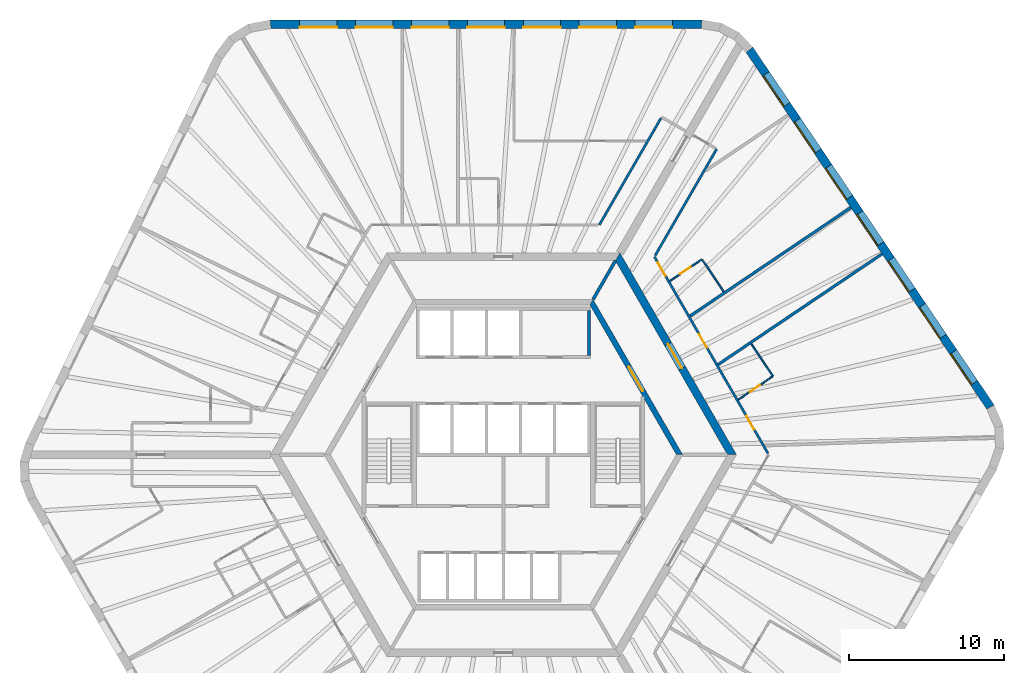
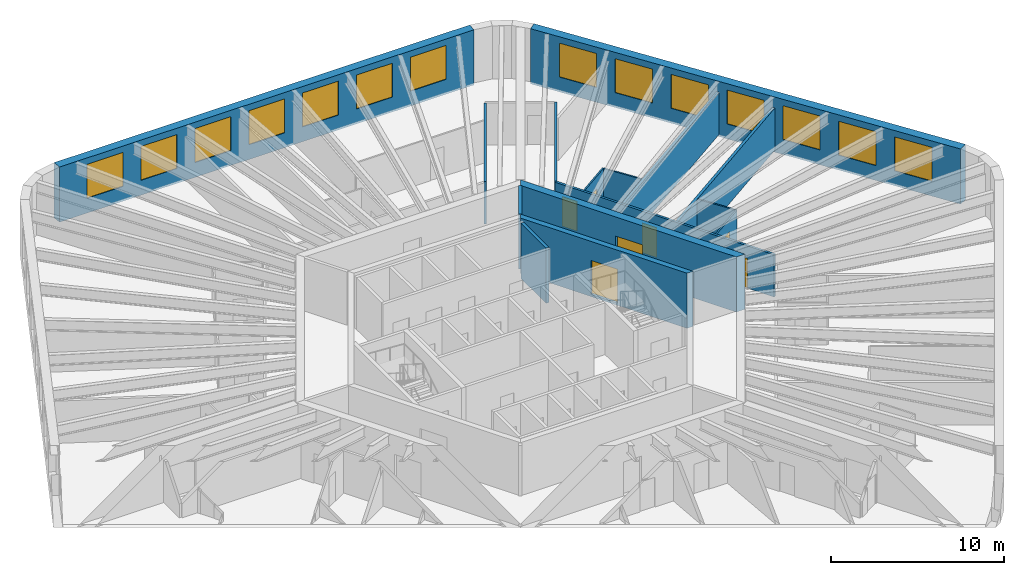
# One storey, part 8 of 10: 15 walls, 14 windows, 7 doors, 21 openings.
"""IFC4 building model written with IfcOpenShell, lengths in metres."""

from ifc_helpers import new_model, si_unit, direction, frame, frame_2d, origin, place, context, subcontext, project, spatial, polyline, rectangle, outline, extrude, material, layer, layer_set, type_object, element, fill, save


model = new_model("IFC4")

# Units and contexts
model_context = context("Model", 3, precision=1e-05, world=origin(), true_north=direction((0.0, 1.0)))
body_context = subcontext(model_context, "Body", "Model", "MODEL_VIEW")
ifc_project = project(units=[si_unit("LENGTHUNIT", "METRE"), si_unit("AREAUNIT", "SQUARE_METRE"), si_unit("VOLUMEUNIT", "CUBIC_METRE"), si_unit("PLANEANGLEUNIT", "RADIAN"), si_unit("MASSUNIT", "GRAM", prefix="KILO")], contexts=[model_context])

# Site, building, storey
site_placement = place(None, origin())
site = spatial("IfcSite", under=ifc_project, at=site_placement, CompositionType="ELEMENT")
building_placement = place(site_placement, origin())
building = spatial("IfcBuilding", under=site, at=building_placement, Name="Tarnside Tower", CompositionType="ELEMENT")
storey_placement = place(building_placement, frame((0.0, 0.0, 234.60009765625)))
storey = spatial("IfcBuildingStorey", under=building, at=storey_placement, Name="L56", CompositionType="ELEMENT", Elevation=234.60009765625)

# Wall
ifc_material_1 = material(Name="Gypsum board partition on steel studs", Category="steel")
ifc_layer_1 = layer(ifc_material_1, 0.10009765625)
ifc_layer_set_1 = layer_set([ifc_layer_1], Name="Bathroom wall 100")
wall_type_1 = type_object("IfcWallType", Name="Bathroom wall 100", PredefinedType="PARTITIONING", material=ifc_layer_set_1)
wall_1_placement = place(storey_placement, frame((15.9609375, 7.1376953125, 0.0), z_axis=(0.0, 0.0, 1.0), x_axis=(0.559158770347, -0.829060594615, 0.0)))
element("IfcWall", 1, at=wall_1_placement, inside=storey, type_object=wall_type_1, Name="Bathroom wall 18099", PredefinedType="PARTITIONING", context=body_context, shape_type="SweptSolid", body=[
    extrude(rectangle(XDim=2.51025390625, YDim=0.10009765625, at=frame_2d((1.255126953125, 0.0))), origin(), (0.0, 0.0, 1.0), 2.98779296875),
])

# Wall, opening, door
wall_2_placement = place(storey_placement, frame((17.3232421875, 5.02880859375, 0.0), z_axis=(0.0, 0.0, 1.0), x_axis=(-0.829031379595, -0.559202084802, 0.0)))
wall_2 = element("IfcWall", 2, at=wall_2_placement, inside=storey, type_object=wall_type_1, Name="Bathroom wall 18100", PredefinedType="PARTITIONING", context=body_context, shape_type="SweptSolid", body=[
    extrude(rectangle(XDim=2.6484375, YDim=0.10009765625, at=frame_2d((1.32421875, 0.0))), origin(), (0.0, 0.0, 1.0), 2.98779296875),
])
opening_1_placement = place(wall_2_placement, frame((0.949951171875, 0.0, 0.0)))
opening_1 = element("IfcOpeningElement", 3, at=opening_1_placement, cuts=wall_2, Name="Opening D-B1", PredefinedType="OPENING", context=body_context, shape_type="SweptSolid", body=[
    extrude(rectangle(XDim=0.800048828125, YDim=2.10009765625, at=frame_2d((0.39990234375, 1.050048828125))), frame((0.0, 0.06005859375, 0.0), z_axis=(0.0, -1.0, 0.0), x_axis=(1.0, 0.0, 0.0)), (0.0, 0.0, 1.0), 0.1201171875),
])
ifc_material_2 = material(Name="Timber door leaf", Category="wood")
door_type_1 = type_object("IfcDoorType", Name="Bathroom door 800", OperationType="NOTDEFINED", PredefinedType="DOOR", material=ifc_material_2)
door_1_placement = place(opening_1_placement, origin())
door_1 = element("IfcDoor", 4, at=door_1_placement, inside=storey, type_object=door_type_1, Name="Bathroom door 18031", OperationType="SINGLE_SWING_LEFT", OverallHeight=2.10009765625, OverallWidth=0.800048828125, PredefinedType="DOOR", context=body_context, shape_type="SweptSolid", body=[
    extrude(rectangle(XDim=0.800048828125, YDim=2.10009765625, at=frame_2d((0.39990234375, 1.050048828125))), frame((0.0, 0.02490234375, 0.0), z_axis=(0.0, -1.0, 0.0), x_axis=(1.0, 0.0, 0.0)), (0.0, 0.0, 1.0), 0.050048828125),
])
fill(opening_1, door_1)

wall_3_placement = place(storey_placement, frame((10.717041015625, 11.1875, 0.0), z_axis=(0.0, 0.0, 1.0), x_axis=(0.829016292589, 0.559224451024, 0.0)))
wall_3 = element("IfcWall", 5, at=wall_3_placement, inside=storey, type_object=wall_type_1, Name="Bathroom wall 18105", PredefinedType="PARTITIONING", context=body_context, shape_type="SweptSolid", body=[
    extrude(rectangle(XDim=2.49853515625, YDim=0.10009765625, at=frame_2d((1.249267578125, 0.0))), origin(), (0.0, 0.0, 1.0), 2.98779296875),
])
opening_2_placement = place(wall_3_placement, frame((0.798583984375, 0.0, 0.0)))
opening_2 = element("IfcOpeningElement", 6, at=opening_2_placement, cuts=wall_3, Name="Opening D-B1", PredefinedType="OPENING", context=body_context, shape_type="SweptSolid", body=[
    extrude(rectangle(XDim=0.800048828125, YDim=2.10009765625, at=frame_2d((0.39990234375, 1.050048828125))), frame((0.0, 0.06005859375, 0.0), z_axis=(0.0, -1.0, 0.0), x_axis=(1.0, 0.0, 0.0)), (0.0, 0.0, 1.0), 0.1201171875),
])
door_2_placement = place(opening_2_placement, origin())
door_2 = element("IfcDoor", 7, at=door_2_placement, inside=storey, type_object=door_type_1, Name="Bathroom door 18034", OperationType="SINGLE_SWING_RIGHT", OverallHeight=2.10009765625, OverallWidth=0.800048828125, PredefinedType="DOOR", context=body_context, shape_type="SweptSolid", body=[
    extrude(rectangle(XDim=0.800048828125, YDim=2.10009765625, at=frame_2d((0.39990234375, 1.050048828125))), frame((0.0, 0.02490234375, 0.0), z_axis=(0.0, -1.0, 0.0), x_axis=(1.0, 0.0, 0.0)), (0.0, 0.0, 1.0), 0.050048828125),
])
fill(opening_2, door_2)

# Wall
wall_4_placement = place(storey_placement, frame((12.81640625, 12.543212890625, 0.0), z_axis=(0.0, 0.0, 1.0), x_axis=(0.559181331227, -0.829045378015, 0.0)))
element("IfcWall", 8, at=wall_4_placement, inside=storey, type_object=wall_type_1, Name="Bathroom wall 18106", PredefinedType="PARTITIONING", context=body_context, shape_type="SweptSolid", body=[
    extrude(rectangle(XDim=2.459716796875, YDim=0.10009765625, at=frame_2d((1.22998046875, 0.0))), origin(), (0.0, 0.0, 1.0), 2.98779296875),
])

# Wall, opening, door
ifc_material_3 = material(Name="Concrete C50/60", Category="concrete")
ifc_layer_2 = layer(ifc_material_3, 0.35009765625)
ifc_layer_set_2 = layer_set([ifc_layer_2], Name="Core block wall 350 C50/60")
wall_type_2 = type_object("IfcWallType", Name="Core block wall 350 C50/60", PredefinedType="SHEAR", material=ifc_layer_set_2)
wall_5_placement = place(storey_placement, frame((11.344970703125, 0.0, -0.150146484375), z_axis=(0.0, 0.0, 1.0), x_axis=(-0.499995046907, 0.866028263435, 0.0)))
wall_5 = element("IfcWall", 9, at=wall_5_placement, inside=storey, type_object=wall_type_2, Name="L56 core block wall face 6", PredefinedType="SHEAR", context=body_context, shape_type="SweptSolid", body=[
    extrude(outline(polyline([(-0.10107421875, -0.175048828125), (11.44580078125, -0.175048828125), (11.24365234375, 0.175048828125), (0.10107421875, 0.175048828125), (-0.10107421875, -0.175048828125)])), origin(), (0.0, 0.0, 1.0), 3.900146484375),
])
opening_3_placement = place(wall_5_placement, frame((4.74365234375, 0.0, 0.14990234375)))
opening_3 = element("IfcOpeningElement", 10, at=opening_3_placement, cuts=wall_5, Name="Opening CD-LOB", PredefinedType="OPENING", context=body_context, shape_type="SweptSolid", body=[
    extrude(rectangle(XDim=1.800048828125, YDim=2.39990234375, at=frame_2d((0.89990234375, 1.199951171875))), frame((0.0, 0.18505859375, 0.0), z_axis=(0.0, -1.0, 0.0), x_axis=(1.0, 0.0, 0.0)), (0.0, 0.0, 1.0), 0.3701171875),
])
ifc_material_4 = material(Name="Steel fire door", Category="steel")
door_type_2 = type_object("IfcDoorType", Name="Lobby double door FD30S 1800x2400", OperationType="NOTDEFINED", PredefinedType="DOOR", material=ifc_material_4)
door_3_placement = place(opening_3_placement, origin())
door_3 = element("IfcDoor", 11, at=door_3_placement, inside=storey, type_object=door_type_2, Name="L56 lobby block door P2", OperationType="DOUBLE_DOOR_SINGLE_SWING", OverallHeight=2.39990234375, OverallWidth=1.800048828125, PredefinedType="DOOR", context=body_context, shape_type="SweptSolid", body=[
    extrude(rectangle(XDim=1.800048828125, YDim=2.39990234375, at=frame_2d((0.89990234375, 1.199951171875))), frame((0.0, 0.02490234375, 0.0), z_axis=(0.0, -1.0, 0.0), x_axis=(1.0, 0.0, 0.0)), (0.0, 0.0, 1.0), 0.050048828125),
])
fill(opening_3, door_3)

ifc_material_5 = material(Name="Concrete C70/85", Category="concrete")
ifc_layer_3 = layer(ifc_material_5, 0.5)
ifc_layer_set_3 = layer_set([ifc_layer_3], Name="Core wall Z2 500 C70/85")
wall_type_3 = type_object("IfcWallType", Name="Core wall Z2 500 C70/85", PredefinedType="SHEAR", material=ifc_layer_set_3)
wall_6_placement = place(storey_placement, frame((14.722412109375, 0.0, -0.150146484375), z_axis=(0.0, 0.0, 1.0), x_axis=(-0.50000571537, 0.866022103989, 0.0)))
wall_6 = element("IfcWall", 12, at=wall_6_placement, inside=storey, type_object=wall_type_3, Name="L56 core wall face 6", PredefinedType="SHEAR", context=body_context, shape_type="SweptSolid", body=[
    extrude(outline(polyline([(-0.144287109375, -0.25), (14.86669921875, -0.25), (14.578125, 0.25), (0.144287109375, 0.25), (-0.144287109375, -0.25)])), origin(), (0.0, 0.0, 1.0), 3.900146484375),
])
opening_4_placement = place(wall_6_placement, frame((6.432373046875, 0.0, 0.14990234375)))
opening_4 = element("IfcOpeningElement", 13, at=opening_4_placement, cuts=wall_6, Name="Opening CD-LOB", PredefinedType="OPENING", context=body_context, shape_type="SweptSolid", body=[
    extrude(rectangle(XDim=1.800048828125, YDim=2.39990234375, at=frame_2d((0.89990234375, 1.199951171875))), frame((0.0, 0.260009765625, 0.0), z_axis=(0.0, -1.0, 0.0), x_axis=(1.0, 0.0, 0.0)), (0.0, 0.0, 1.0), 0.52001953125),
])
door_4_placement = place(opening_4_placement, origin())
door_4 = element("IfcDoor", 14, at=door_4_placement, inside=storey, type_object=door_type_2, Name="L56 core door P2", OperationType="DOUBLE_DOOR_SINGLE_SWING", OverallHeight=2.39990234375, OverallWidth=1.800048828125, PredefinedType="DOOR", context=body_context, shape_type="SweptSolid", body=[
    extrude(rectangle(XDim=1.800048828125, YDim=2.39990234375, at=frame_2d((0.89990234375, 1.199951171875))), frame((0.0, 0.02490234375, 0.0), z_axis=(0.0, -1.0, 0.0), x_axis=(1.0, 0.0, 0.0)), (0.0, 0.0, 1.0), 0.050048828125),
])
fill(opening_4, door_4)

# Wall
ifc_layer_4 = layer(ifc_material_1, 0.14990234375)
ifc_layer_set_4 = layer_set([ifc_layer_4], Name="Corridor wall 150 EI 60")
wall_type_4 = type_object("IfcWallType", Name="Corridor wall 150 EI 60", PredefinedType="PARTITIONING", material=ifc_layer_set_4)
wall_7_placement = place(storey_placement, frame((10.148681640625, 21.677978515625, 0.0), z_axis=(0.0, 0.0, 1.0), x_axis=(-0.499997422768, -0.866026891745, 0.0)))
element("IfcWall", 15, at=wall_7_placement, inside=storey, type_object=wall_type_4, Name="Corridor wall 18001", PredefinedType="PARTITIONING", context=body_context, shape_type="SweptSolid", body=[
    extrude(rectangle(XDim=7.94189453125, YDim=0.14990234375, at=frame_2d((3.970947265625, 0.0))), origin(), (0.0, 0.0, 1.0), 2.98779296875),
])

# Wall, openings, doors
wall_8_placement = place(storey_placement, frame((17.04638671875, 0.074951171875, 0.0), z_axis=(0.0, 0.0, 1.0), x_axis=(-0.499996322767, 0.866027526826, 0.0)))
wall_8 = element("IfcWall", 16, at=wall_8_placement, inside=storey, type_object=wall_type_4, Name="Corridor wall 18042", PredefinedType="PARTITIONING", context=body_context, shape_type="SweptSolid", body=[
    extrude(rectangle(XDim=14.6357421875, YDim=0.14990234375, at=frame_2d((7.31787109375, 0.0))), origin(), (0.0, 0.0, 1.0), 2.98779296875),
])
opening_5_placement = place(wall_8_placement, frame((1.781494140625, 0.0, 0.0)))
opening_5 = element("IfcOpeningElement", 17, at=opening_5_placement, cuts=wall_8, Name="Opening D-E1", PredefinedType="OPENING", context=body_context, shape_type="SweptSolid", body=[
    extrude(rectangle(XDim=1.0, YDim=2.10009765625, at=frame_2d((0.5, 1.050048828125))), frame((0.0, 0.0849609375, 0.0), z_axis=(0.0, -1.0, 0.0), x_axis=(1.0, 0.0, 0.0)), (0.0, 0.0, 1.0), 0.169921875),
])
opening_6_placement = place(wall_8_placement, frame((7.872314453125, 0.0, 0.0)))
opening_6 = element("IfcOpeningElement", 18, at=opening_6_placement, cuts=wall_8, Name="Opening D-E1", PredefinedType="OPENING", context=body_context, shape_type="SweptSolid", body=[
    extrude(rectangle(XDim=1.0, YDim=2.10009765625, at=frame_2d((0.5, 1.050048828125))), frame((0.0, 0.0849609375, 0.0), z_axis=(0.0, -1.0, 0.0), x_axis=(1.0, 0.0, 0.0)), (0.0, 0.0, 1.0), 0.169921875),
])
opening_7_placement = place(wall_8_placement, frame((13.203125, 0.0, 0.0)))
opening_7 = element("IfcOpeningElement", 19, at=opening_7_placement, cuts=wall_8, Name="Opening D-E1", PredefinedType="OPENING", context=body_context, shape_type="SweptSolid", body=[
    extrude(rectangle(XDim=1.0, YDim=2.10009765625, at=frame_2d((0.5, 1.050048828125))), frame((0.0, 0.0849609375, 0.0), z_axis=(0.0, -1.0, 0.0), x_axis=(1.0, 0.0, 0.0)), (0.0, 0.0, 1.0), 0.169921875),
])
door_type_3 = type_object("IfcDoorType", Name="Unit entrance door 1000 FD30S", OperationType="NOTDEFINED", PredefinedType="DOOR", material=ifc_material_2)
door_5_placement = place(opening_5_placement, origin())
door_5 = element("IfcDoor", 20, at=door_5_placement, inside=storey, type_object=door_type_3, Name="Unit door 18030", OperationType="SINGLE_SWING_LEFT", OverallHeight=2.10009765625, OverallWidth=1.0, PredefinedType="DOOR", context=body_context, shape_type="SweptSolid", body=[
    extrude(rectangle(XDim=1.0, YDim=2.10009765625, at=frame_2d((0.5, 1.050048828125))), frame((0.0, 0.02490234375, 0.0), z_axis=(0.0, -1.0, 0.0), x_axis=(1.0, 0.0, 0.0)), (0.0, 0.0, 1.0), 0.050048828125),
])
fill(opening_5, door_5)
door_6_placement = place(opening_6_placement, origin())
door_6 = element("IfcDoor", 21, at=door_6_placement, inside=storey, type_object=door_type_3, Name="Unit door 18032", OperationType="SINGLE_SWING_RIGHT", OverallHeight=2.10009765625, OverallWidth=1.0, PredefinedType="DOOR", context=body_context, shape_type="SweptSolid", body=[
    extrude(rectangle(XDim=1.0, YDim=2.10009765625, at=frame_2d((0.5, 1.050048828125))), frame((0.0, 0.02490234375, 0.0), z_axis=(0.0, -1.0, 0.0), x_axis=(1.0, 0.0, 0.0)), (0.0, 0.0, 1.0), 0.050048828125),
])
fill(opening_6, door_6)
door_7_placement = place(opening_7_placement, origin())
door_7 = element("IfcDoor", 22, at=door_7_placement, inside=storey, type_object=door_type_3, Name="Unit door 18033", OperationType="SINGLE_SWING_LEFT", OverallHeight=2.10009765625, OverallWidth=1.0, PredefinedType="DOOR", context=body_context, shape_type="SweptSolid", body=[
    extrude(rectangle(XDim=1.0, YDim=2.10009765625, at=frame_2d((0.5, 1.050048828125))), frame((0.0, 0.02490234375, 0.0), z_axis=(0.0, -1.0, 0.0), x_axis=(1.0, 0.0, 0.0)), (0.0, 0.0, 1.0), 0.050048828125),
])
fill(opening_7, door_7)

# Walls
wall_9_placement = place(storey_placement, frame((9.771728515625, 12.824951171875, 0.0), z_axis=(0.0, 0.0, 1.0), x_axis=(0.499989830942, 0.866031274813, 0.0)))
element("IfcWall", 23, at=wall_9_placement, inside=storey, type_object=wall_type_4, Name="Corridor wall 18047", PredefinedType="PARTITIONING", context=body_context, shape_type="SweptSolid", body=[
    extrude(rectangle(XDim=7.930419921875, YDim=0.14990234375, at=frame_2d((3.96533203125, 0.0))), origin(), (0.0, 0.0, 1.0), 2.98779296875),
])
ifc_layer_5 = layer(ifc_material_1, 0.179931640625)
ifc_layer_set_5 = layer_set([ifc_layer_5], Name="Demising wall 180 EI 60")
wall_type_5 = type_object("IfcWallType", Name="Demising wall 180 EI 60", PredefinedType="PARTITIONING", material=ifc_layer_set_5)
wall_10_placement = place(storey_placement, frame((24.388671875, 12.9306640625, 0.0), z_axis=(0.0, 0.0, 1.0), x_axis=(-0.829037426209, -0.559193120438, 0.0)))
element("IfcWall", 24, at=wall_10_placement, inside=storey, type_object=wall_type_5, Name="Demising wall 18101", PredefinedType="PARTITIONING", context=body_context, shape_type="SweptSolid", body=[
    extrude(rectangle(XDim=12.742431640625, YDim=0.179931640625, at=frame_2d((6.37109375, 0.0))), origin(), (0.0, 0.0, 1.0), 2.98779296875),
])
wall_11_placement = place(storey_placement, frame((22.375732421875, 15.915283203125, 0.0), z_axis=(0.0, 0.0, 1.0), x_axis=(-0.829037148953, -0.559193531487, 0.0)))
element("IfcWall", 25, at=wall_11_placement, inside=storey, type_object=wall_type_5, Name="Demising wall 18103", PredefinedType="PARTITIONING", context=body_context, shape_type="SweptSolid", body=[
    extrude(rectangle(XDim=12.490966796875, YDim=0.179931640625, at=frame_2d((6.24560546875, 0.0))), origin(), (0.0, 0.0, 1.0), 2.98779296875),
])
ifc_material_6 = material(Name="Concrete C40/50", Category="concrete")
ifc_layer_6 = layer(ifc_material_6, 0.199951171875)
ifc_layer_set_6 = layer_set([ifc_layer_6], Name="Lift shaft wall 200 C40/50")
wall_type_6 = type_object("IfcWallType", Name="Lift shaft wall 200 C40/50", PredefinedType="SHEAR", material=ifc_layer_set_6)
wall_12_placement = place(storey_placement, frame((5.5, 6.39990234375, -0.25), z_axis=(0.0, 0.0, 1.0), x_axis=(0.0, 1.0, 0.0)))
element("IfcWall", 26, at=wall_12_placement, inside=storey, type_object=wall_type_6, Name="L56 lift shaft partition R16", PredefinedType="SHEAR", context=body_context, shape_type="SweptSolid", body=[
    extrude(rectangle(XDim=2.900146484375, YDim=0.199951171875, at=frame_2d((1.4501953125, 0.0))), origin(), (0.0, 0.0, 1.0), 3.89990234375),
])
wall_13_placement = place(storey_placement, frame((5.7734375, 10.0, -0.150146484375), z_axis=(0.0, 0.0, 1.0), x_axis=(0.499995765644, 0.866027848477, 0.0)))
element("IfcWall", 27, at=wall_13_placement, inside=storey, type_object=wall_type_6, Name="L56 core partition AR60", PredefinedType="SHEAR", context=body_context, shape_type="SweptSolid", body=[
    extrude(rectangle(XDim=2.88671875, YDim=0.199951171875, at=frame_2d((1.443359375, 0.0))), origin(), (0.0, 0.0, 1.0), 3.900146484375),
])

# Wall, openings, windows
ifc_material_7 = material(Name="Facing brick", Category="masonry")
ifc_layer_7 = layer(ifc_material_7, 0.10205078125)
ifc_material_8 = material(Name="Concrete C60/75 precast", Category="concrete")
ifc_layer_8 = layer(ifc_material_8, 0.347900390625)
ifc_material_9 = material(Name="Mineral wool insulation")
ifc_layer_9 = layer(ifc_material_9, 0.10009765625)
ifc_layer_set_7 = layer_set([ifc_layer_7, ifc_layer_8, ifc_layer_9], Name="Tube wall 550 brick faced")
wall_type_7 = type_object("IfcWallType", Name="Tube wall 550 brick faced", PredefinedType="SOLIDWALL", material=ifc_layer_set_7)
wall_14_placement = place(storey_placement, frame((12.760986328125, 27.72509765625, -0.150146484375), z_axis=(0.0, 0.0, 1.0), x_axis=(-1.0, 0.0, 0.0)))
wall_14 = element("IfcWall", 28, at=wall_14_placement, inside=storey, type_object=wall_type_7, Name="Tube wall L56 F1 flush 00", PredefinedType="SOLIDWALL", context=body_context, shape_type="SweptSolid", body=[
    extrude(outline(polyline([(-0.0224609375, -0.27490234375), (27.783447265625, -0.27490234375), (27.732177734375, 0.27490234375), (0.0224609375, 0.27490234375), (-0.0224609375, -0.27490234375)])), origin(), (0.0, 0.0, 1.0), 3.900146484375),
])
opening_8_placement = place(wall_14_placement, frame((1.87890625, 0.0, 1.050048828125)))
opening_8 = element("IfcOpeningElement", 29, at=opening_8_placement, cuts=wall_14, Name="Opening WH", PredefinedType="OPENING", context=body_context, shape_type="SweptSolid", body=[
    extrude(rectangle(XDim=2.39990234375, YDim=2.39990234375, at=frame_2d((1.199951171875, 1.199951171875))), frame((0.0, 0.28515625, 0.0), z_axis=(0.0, -1.0, 0.0), x_axis=(1.0, 0.0, 0.0)), (0.0, 0.0, 1.0), 0.570068359375),
])
opening_9_placement = place(wall_14_placement, frame((5.47900390625, 0.0, 1.050048828125)))
opening_9 = element("IfcOpeningElement", 30, at=opening_9_placement, cuts=wall_14, Name="Opening WH", PredefinedType="OPENING", context=body_context, shape_type="SweptSolid", body=[
    extrude(rectangle(XDim=2.39990234375, YDim=2.39990234375, at=frame_2d((1.199951171875, 1.199951171875))), frame((0.0, 0.28515625, 0.0), z_axis=(0.0, -1.0, 0.0), x_axis=(1.0, 0.0, 0.0)), (0.0, 0.0, 1.0), 0.570068359375),
])
opening_10_placement = place(wall_14_placement, frame((9.078857421875, 0.0, 1.050048828125)))
opening_10 = element("IfcOpeningElement", 31, at=opening_10_placement, cuts=wall_14, Name="Opening WH", PredefinedType="OPENING", context=body_context, shape_type="SweptSolid", body=[
    extrude(rectangle(XDim=2.39990234375, YDim=2.39990234375, at=frame_2d((1.199951171875, 1.199951171875))), frame((0.0, 0.28515625, 0.0), z_axis=(0.0, -1.0, 0.0), x_axis=(1.0, 0.0, 0.0)), (0.0, 0.0, 1.0), 0.570068359375),
])
opening_11_placement = place(wall_14_placement, frame((12.678955078125, 0.0, 1.050048828125)))
opening_11 = element("IfcOpeningElement", 32, at=opening_11_placement, cuts=wall_14, Name="Opening WH", PredefinedType="OPENING", context=body_context, shape_type="SweptSolid", body=[
    extrude(rectangle(XDim=2.39990234375, YDim=2.39990234375, at=frame_2d((1.199951171875, 1.199951171875))), frame((0.0, 0.28515625, 0.0), z_axis=(0.0, -1.0, 0.0), x_axis=(1.0, 0.0, 0.0)), (0.0, 0.0, 1.0), 0.570068359375),
])
opening_12_placement = place(wall_14_placement, frame((16.27880859375, 0.0, 1.050048828125)))
opening_12 = element("IfcOpeningElement", 33, at=opening_12_placement, cuts=wall_14, Name="Opening WH", PredefinedType="OPENING", context=body_context, shape_type="SweptSolid", body=[
    extrude(rectangle(XDim=2.39990234375, YDim=2.39990234375, at=frame_2d((1.199951171875, 1.199951171875))), frame((0.0, 0.28515625, 0.0), z_axis=(0.0, -1.0, 0.0), x_axis=(1.0, 0.0, 0.0)), (0.0, 0.0, 1.0), 0.570068359375),
])
opening_13_placement = place(wall_14_placement, frame((19.87890625, 0.0, 1.050048828125)))
opening_13 = element("IfcOpeningElement", 34, at=opening_13_placement, cuts=wall_14, Name="Opening WH", PredefinedType="OPENING", context=body_context, shape_type="SweptSolid", body=[
    extrude(rectangle(XDim=2.39990234375, YDim=2.39990234375, at=frame_2d((1.199951171875, 1.199951171875))), frame((0.0, 0.28515625, 0.0), z_axis=(0.0, -1.0, 0.0), x_axis=(1.0, 0.0, 0.0)), (0.0, 0.0, 1.0), 0.570068359375),
])
opening_14_placement = place(wall_14_placement, frame((23.47900390625, 0.0, 1.050048828125)))
opening_14 = element("IfcOpeningElement", 35, at=opening_14_placement, cuts=wall_14, Name="Opening WH", PredefinedType="OPENING", context=body_context, shape_type="SweptSolid", body=[
    extrude(rectangle(XDim=2.39990234375, YDim=2.39990234375, at=frame_2d((1.199951171875, 1.199951171875))), frame((0.0, 0.28515625, 0.0), z_axis=(0.0, -1.0, 0.0), x_axis=(1.0, 0.0, 0.0)), (0.0, 0.0, 1.0), 0.570068359375),
])
ifc_material_10 = material(Name="Aluminium-framed double glazing", Category="aluminium")
window_type = type_object("IfcWindowType", Name="Hotel window 2400 x 2400", PartitioningType="DOUBLE_PANEL_VERTICAL", PredefinedType="WINDOW", material=ifc_material_10)
window_1_placement = place(opening_8_placement, frame((0.0, 0.205078125, 0.0)))
window_1 = element("IfcWindow", 36, at=window_1_placement, inside=storey, type_object=window_type, Name="E.WN.L56.F1.00", OverallHeight=2.39990234375, OverallWidth=2.39990234375, PartitioningType="DOUBLE_PANEL_VERTICAL", PredefinedType="WINDOW", context=body_context, shape_type="SweptSolid", body=[
    extrude(rectangle(XDim=2.39990234375, YDim=2.39990234375, at=frame_2d((1.199951171875, 1.199951171875))), frame((0.0, 0.030029296875, 0.0), z_axis=(0.0, -1.0, 0.0), x_axis=(1.0, 0.0, 0.0)), (0.0, 0.0, 1.0), 0.06005859375),
])
fill(opening_8, window_1)
window_2_placement = place(opening_9_placement, frame((0.0, 0.205078125, 0.0)))
window_2 = element("IfcWindow", 37, at=window_2_placement, inside=storey, type_object=window_type, Name="E.WN.L56.F1.01", OverallHeight=2.39990234375, OverallWidth=2.39990234375, PartitioningType="DOUBLE_PANEL_VERTICAL", PredefinedType="WINDOW", context=body_context, shape_type="SweptSolid", body=[
    extrude(rectangle(XDim=2.39990234375, YDim=2.39990234375, at=frame_2d((1.199951171875, 1.199951171875))), frame((0.0, 0.030029296875, 0.0), z_axis=(0.0, -1.0, 0.0), x_axis=(1.0, 0.0, 0.0)), (0.0, 0.0, 1.0), 0.06005859375),
])
fill(opening_9, window_2)
window_3_placement = place(opening_10_placement, frame((0.0, 0.205078125, 0.0)))
window_3 = element("IfcWindow", 38, at=window_3_placement, inside=storey, type_object=window_type, Name="E.WN.L56.F1.02", OverallHeight=2.39990234375, OverallWidth=2.39990234375, PartitioningType="DOUBLE_PANEL_VERTICAL", PredefinedType="WINDOW", context=body_context, shape_type="SweptSolid", body=[
    extrude(rectangle(XDim=2.39990234375, YDim=2.39990234375, at=frame_2d((1.199951171875, 1.199951171875))), frame((0.0, 0.030029296875, 0.0), z_axis=(0.0, -1.0, 0.0), x_axis=(1.0, 0.0, 0.0)), (0.0, 0.0, 1.0), 0.06005859375),
])
fill(opening_10, window_3)
window_4_placement = place(opening_11_placement, frame((0.0, 0.205078125, 0.0)))
window_4 = element("IfcWindow", 39, at=window_4_placement, inside=storey, type_object=window_type, Name="E.WN.L56.F1.03", OverallHeight=2.39990234375, OverallWidth=2.39990234375, PartitioningType="DOUBLE_PANEL_VERTICAL", PredefinedType="WINDOW", context=body_context, shape_type="SweptSolid", body=[
    extrude(rectangle(XDim=2.39990234375, YDim=2.39990234375, at=frame_2d((1.199951171875, 1.199951171875))), frame((0.0, 0.030029296875, 0.0), z_axis=(0.0, -1.0, 0.0), x_axis=(1.0, 0.0, 0.0)), (0.0, 0.0, 1.0), 0.06005859375),
])
fill(opening_11, window_4)
window_5_placement = place(opening_12_placement, frame((0.0, 0.205078125, 0.0)))
window_5 = element("IfcWindow", 40, at=window_5_placement, inside=storey, type_object=window_type, Name="E.WN.L56.F1.04", OverallHeight=2.39990234375, OverallWidth=2.39990234375, PartitioningType="DOUBLE_PANEL_VERTICAL", PredefinedType="WINDOW", context=body_context, shape_type="SweptSolid", body=[
    extrude(rectangle(XDim=2.39990234375, YDim=2.39990234375, at=frame_2d((1.199951171875, 1.199951171875))), frame((0.0, 0.030029296875, 0.0), z_axis=(0.0, -1.0, 0.0), x_axis=(1.0, 0.0, 0.0)), (0.0, 0.0, 1.0), 0.06005859375),
])
fill(opening_12, window_5)
window_6_placement = place(opening_13_placement, frame((0.0, 0.205078125, 0.0)))
window_6 = element("IfcWindow", 41, at=window_6_placement, inside=storey, type_object=window_type, Name="E.WN.L56.F1.05", OverallHeight=2.39990234375, OverallWidth=2.39990234375, PartitioningType="DOUBLE_PANEL_VERTICAL", PredefinedType="WINDOW", context=body_context, shape_type="SweptSolid", body=[
    extrude(rectangle(XDim=2.39990234375, YDim=2.39990234375, at=frame_2d((1.199951171875, 1.199951171875))), frame((0.0, 0.030029296875, 0.0), z_axis=(0.0, -1.0, 0.0), x_axis=(1.0, 0.0, 0.0)), (0.0, 0.0, 1.0), 0.06005859375),
])
fill(opening_13, window_6)
window_7_placement = place(opening_14_placement, frame((0.0, 0.205078125, 0.0)))
window_7 = element("IfcWindow", 42, at=window_7_placement, inside=storey, type_object=window_type, Name="E.WN.L56.F1.06", OverallHeight=2.39990234375, OverallWidth=2.39990234375, PartitioningType="DOUBLE_PANEL_VERTICAL", PredefinedType="WINDOW", context=body_context, shape_type="SweptSolid", body=[
    extrude(rectangle(XDim=2.39990234375, YDim=2.39990234375, at=frame_2d((1.199951171875, 1.199951171875))), frame((0.0, 0.030029296875, 0.0), z_axis=(0.0, -1.0, 0.0), x_axis=(1.0, 0.0, 0.0)), (0.0, 0.0, 1.0), 0.06005859375),
])
fill(opening_14, window_7)

wall_15_placement = place(storey_placement, frame((31.37109375, 3.070556640625, -0.150146484375), z_axis=(0.0, 0.0, 1.0), x_axis=(-0.559189891278, 0.829039604297, 0.0)))
wall_15 = element("IfcWall", 43, at=wall_15_placement, inside=storey, type_object=wall_type_7, Name="Tube wall L56 F6 flush 20", PredefinedType="SOLIDWALL", context=body_context, shape_type="SweptSolid", body=[
    extrude(outline(polyline([(-0.025634765625, -0.27490234375), (27.780517578125, -0.27490234375), (27.735595703125, 0.27490234375), (0.025634765625, 0.27490234375), (-0.025634765625, -0.27490234375)])), origin(), (0.0, 0.0, 1.0), 3.900146484375),
])
opening_15_placement = place(wall_15_placement, frame((1.87890625, 0.0, 1.050048828125)))
opening_15 = element("IfcOpeningElement", 44, at=opening_15_placement, cuts=wall_15, Name="Opening WH", PredefinedType="OPENING", context=body_context, shape_type="SweptSolid", body=[
    extrude(rectangle(XDim=2.39990234375, YDim=2.39990234375, at=frame_2d((1.199951171875, 1.199951171875))), frame((0.0, 0.28515625, 0.0), z_axis=(0.0, -1.0, 0.0), x_axis=(1.0, 0.0, 0.0)), (0.0, 0.0, 1.0), 0.570068359375),
])
opening_16_placement = place(wall_15_placement, frame((5.47900390625, 0.0, 1.050048828125)))
opening_16 = element("IfcOpeningElement", 45, at=opening_16_placement, cuts=wall_15, Name="Opening WH", PredefinedType="OPENING", context=body_context, shape_type="SweptSolid", body=[
    extrude(rectangle(XDim=2.39990234375, YDim=2.39990234375, at=frame_2d((1.199951171875, 1.199951171875))), frame((0.0, 0.28515625, 0.0), z_axis=(0.0, -1.0, 0.0), x_axis=(1.0, 0.0, 0.0)), (0.0, 0.0, 1.0), 0.570068359375),
])
opening_17_placement = place(wall_15_placement, frame((9.078857421875, 0.0, 1.050048828125)))
opening_17 = element("IfcOpeningElement", 46, at=opening_17_placement, cuts=wall_15, Name="Opening WH", PredefinedType="OPENING", context=body_context, shape_type="SweptSolid", body=[
    extrude(rectangle(XDim=2.39990234375, YDim=2.39990234375, at=frame_2d((1.199951171875, 1.199951171875))), frame((0.0, 0.28515625, 0.0), z_axis=(0.0, -1.0, 0.0), x_axis=(1.0, 0.0, 0.0)), (0.0, 0.0, 1.0), 0.570068359375),
])
opening_18_placement = place(wall_15_placement, frame((12.678955078125, 0.0, 1.050048828125)))
opening_18 = element("IfcOpeningElement", 47, at=opening_18_placement, cuts=wall_15, Name="Opening WH", PredefinedType="OPENING", context=body_context, shape_type="SweptSolid", body=[
    extrude(rectangle(XDim=2.39990234375, YDim=2.39990234375, at=frame_2d((1.199951171875, 1.199951171875))), frame((0.0, 0.28515625, 0.0), z_axis=(0.0, -1.0, 0.0), x_axis=(1.0, 0.0, 0.0)), (0.0, 0.0, 1.0), 0.570068359375),
])
opening_19_placement = place(wall_15_placement, frame((16.27880859375, 0.0, 1.050048828125)))
opening_19 = element("IfcOpeningElement", 48, at=opening_19_placement, cuts=wall_15, Name="Opening WH", PredefinedType="OPENING", context=body_context, shape_type="SweptSolid", body=[
    extrude(rectangle(XDim=2.39990234375, YDim=2.39990234375, at=frame_2d((1.199951171875, 1.199951171875))), frame((0.0, 0.28515625, 0.0), z_axis=(0.0, -1.0, 0.0), x_axis=(1.0, 0.0, 0.0)), (0.0, 0.0, 1.0), 0.570068359375),
])
opening_20_placement = place(wall_15_placement, frame((19.87890625, 0.0, 1.050048828125)))
opening_20 = element("IfcOpeningElement", 49, at=opening_20_placement, cuts=wall_15, Name="Opening WH", PredefinedType="OPENING", context=body_context, shape_type="SweptSolid", body=[
    extrude(rectangle(XDim=2.39990234375, YDim=2.39990234375, at=frame_2d((1.199951171875, 1.199951171875))), frame((0.0, 0.28515625, 0.0), z_axis=(0.0, -1.0, 0.0), x_axis=(1.0, 0.0, 0.0)), (0.0, 0.0, 1.0), 0.570068359375),
])
opening_21_placement = place(wall_15_placement, frame((23.47900390625, 0.0, 1.050048828125)))
opening_21 = element("IfcOpeningElement", 50, at=opening_21_placement, cuts=wall_15, Name="Opening WH", PredefinedType="OPENING", context=body_context, shape_type="SweptSolid", body=[
    extrude(rectangle(XDim=2.39990234375, YDim=2.39990234375, at=frame_2d((1.199951171875, 1.199951171875))), frame((0.0, 0.28515625, 0.0), z_axis=(0.0, -1.0, 0.0), x_axis=(1.0, 0.0, 0.0)), (0.0, 0.0, 1.0), 0.570068359375),
])
window_8_placement = place(opening_15_placement, frame((0.0, 0.205078125, 0.0)))
window_8 = element("IfcWindow", 51, at=window_8_placement, inside=storey, type_object=window_type, Name="E.WN.L56.F6.00", OverallHeight=2.39990234375, OverallWidth=2.39990234375, PartitioningType="DOUBLE_PANEL_VERTICAL", PredefinedType="WINDOW", context=body_context, shape_type="SweptSolid", body=[
    extrude(rectangle(XDim=2.39990234375, YDim=2.39990234375, at=frame_2d((1.199951171875, 1.199951171875))), frame((0.0, 0.030029296875, 0.0), z_axis=(0.0, -1.0, 0.0), x_axis=(1.0, 0.0, 0.0)), (0.0, 0.0, 1.0), 0.06005859375),
])
fill(opening_15, window_8)
window_9_placement = place(opening_16_placement, frame((0.0, 0.205078125, 0.0)))
window_9 = element("IfcWindow", 52, at=window_9_placement, inside=storey, type_object=window_type, Name="E.WN.L56.F6.01", OverallHeight=2.39990234375, OverallWidth=2.39990234375, PartitioningType="DOUBLE_PANEL_VERTICAL", PredefinedType="WINDOW", context=body_context, shape_type="SweptSolid", body=[
    extrude(rectangle(XDim=2.39990234375, YDim=2.39990234375, at=frame_2d((1.199951171875, 1.199951171875))), frame((0.0, 0.030029296875, 0.0), z_axis=(0.0, -1.0, 0.0), x_axis=(1.0, 0.0, 0.0)), (0.0, 0.0, 1.0), 0.06005859375),
])
fill(opening_16, window_9)
window_10_placement = place(opening_17_placement, frame((0.0, 0.205078125, 0.0)))
window_10 = element("IfcWindow", 53, at=window_10_placement, inside=storey, type_object=window_type, Name="E.WN.L56.F6.02", OverallHeight=2.39990234375, OverallWidth=2.39990234375, PartitioningType="DOUBLE_PANEL_VERTICAL", PredefinedType="WINDOW", context=body_context, shape_type="SweptSolid", body=[
    extrude(rectangle(XDim=2.39990234375, YDim=2.39990234375, at=frame_2d((1.199951171875, 1.199951171875))), frame((0.0, 0.030029296875, 0.0), z_axis=(0.0, -1.0, 0.0), x_axis=(1.0, 0.0, 0.0)), (0.0, 0.0, 1.0), 0.06005859375),
])
fill(opening_17, window_10)
window_11_placement = place(opening_18_placement, frame((0.0, 0.205078125, 0.0)))
window_11 = element("IfcWindow", 54, at=window_11_placement, inside=storey, type_object=window_type, Name="E.WN.L56.F6.03", OverallHeight=2.39990234375, OverallWidth=2.39990234375, PartitioningType="DOUBLE_PANEL_VERTICAL", PredefinedType="WINDOW", context=body_context, shape_type="SweptSolid", body=[
    extrude(rectangle(XDim=2.39990234375, YDim=2.39990234375, at=frame_2d((1.199951171875, 1.199951171875))), frame((0.0, 0.030029296875, 0.0), z_axis=(0.0, -1.0, 0.0), x_axis=(1.0, 0.0, 0.0)), (0.0, 0.0, 1.0), 0.06005859375),
])
fill(opening_18, window_11)
window_12_placement = place(opening_19_placement, frame((0.0, 0.205078125, 0.0)))
window_12 = element("IfcWindow", 55, at=window_12_placement, inside=storey, type_object=window_type, Name="E.WN.L56.F6.04", OverallHeight=2.39990234375, OverallWidth=2.39990234375, PartitioningType="DOUBLE_PANEL_VERTICAL", PredefinedType="WINDOW", context=body_context, shape_type="SweptSolid", body=[
    extrude(rectangle(XDim=2.39990234375, YDim=2.39990234375, at=frame_2d((1.199951171875, 1.199951171875))), frame((0.0, 0.030029296875, 0.0), z_axis=(0.0, -1.0, 0.0), x_axis=(1.0, 0.0, 0.0)), (0.0, 0.0, 1.0), 0.06005859375),
])
fill(opening_19, window_12)
window_13_placement = place(opening_20_placement, frame((0.0, 0.205078125, 0.0)))
window_13 = element("IfcWindow", 56, at=window_13_placement, inside=storey, type_object=window_type, Name="E.WN.L56.F6.05", OverallHeight=2.39990234375, OverallWidth=2.39990234375, PartitioningType="DOUBLE_PANEL_VERTICAL", PredefinedType="WINDOW", context=body_context, shape_type="SweptSolid", body=[
    extrude(rectangle(XDim=2.39990234375, YDim=2.39990234375, at=frame_2d((1.199951171875, 1.199951171875))), frame((0.0, 0.030029296875, 0.0), z_axis=(0.0, -1.0, 0.0), x_axis=(1.0, 0.0, 0.0)), (0.0, 0.0, 1.0), 0.06005859375),
])
fill(opening_20, window_13)
window_14_placement = place(opening_21_placement, frame((0.0, 0.205078125, 0.0)))
window_14 = element("IfcWindow", 57, at=window_14_placement, inside=storey, type_object=window_type, Name="E.WN.L56.F6.06", OverallHeight=2.39990234375, OverallWidth=2.39990234375, PartitioningType="DOUBLE_PANEL_VERTICAL", PredefinedType="WINDOW", context=body_context, shape_type="SweptSolid", body=[
    extrude(rectangle(XDim=2.39990234375, YDim=2.39990234375, at=frame_2d((1.199951171875, 1.199951171875))), frame((0.0, 0.030029296875, 0.0), z_axis=(0.0, -1.0, 0.0), x_axis=(1.0, 0.0, 0.0)), (0.0, 0.0, 1.0), 0.06005859375),
])
fill(opening_21, window_14)

save(model, "model.ifc")
